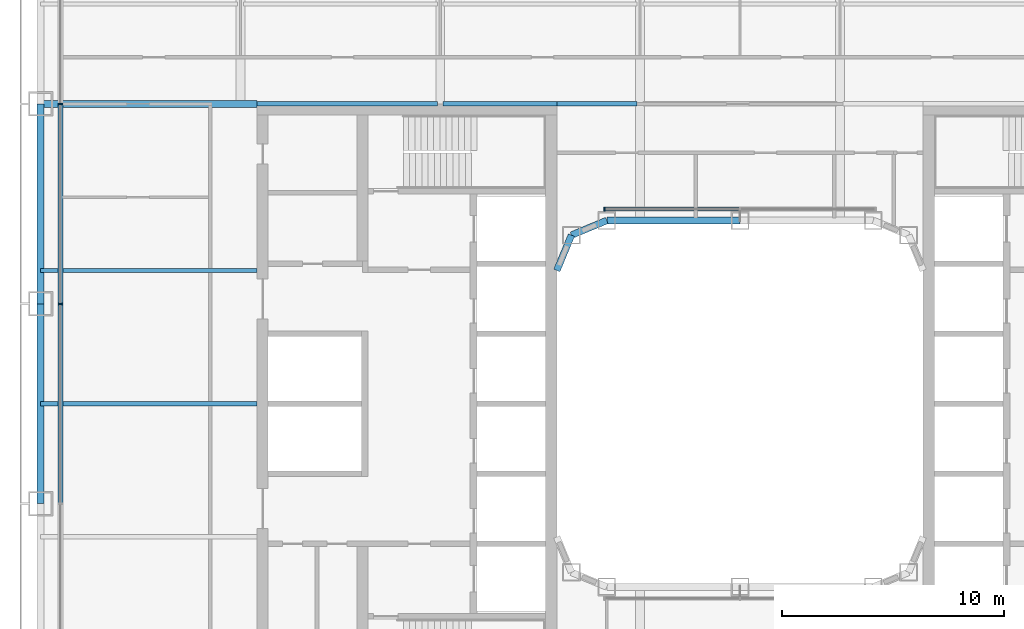
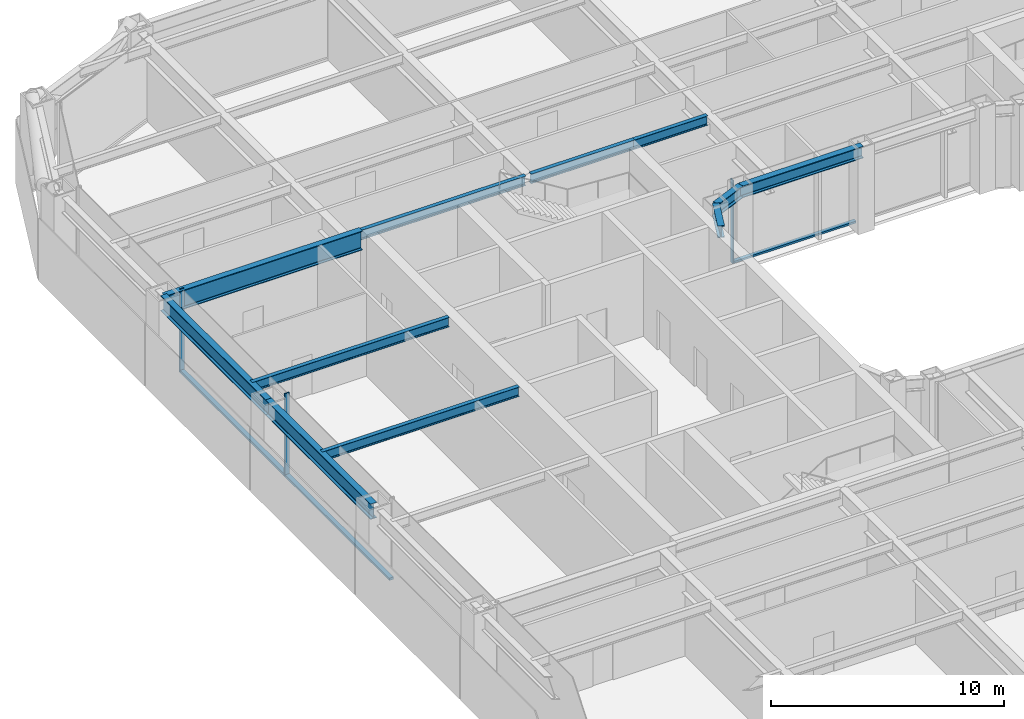
# One storey, part 6 of 24: 11 beams, 6 members, 2 elements without a shape of their own.
"""IFC4 building model written with IfcOpenShell, lengths in metres."""

from ifc_helpers import new_model, si_unit, direction, frame, origin, origin_2d, place, context, subcontext, project, spatial, rectangle, i_section, extrude, material, layer, layer_set, material_profile, profile_set, type_object, element, aggregate, save


model = new_model("IFC4")

# Units and contexts
model_context = context("Model", 3, precision=1e-05, world=origin(), true_north=direction((0.0, 1.0)))
body_context = subcontext(model_context, "Body", "Model", "MODEL_VIEW")
ifc_project = project(units=[si_unit("LENGTHUNIT", "METRE"), si_unit("AREAUNIT", "SQUARE_METRE"), si_unit("VOLUMEUNIT", "CUBIC_METRE"), si_unit("PLANEANGLEUNIT", "RADIAN"), si_unit("MASSUNIT", "GRAM", prefix="KILO")], contexts=[model_context])

# Site, building, storey
site_placement = place(None, origin())
site = spatial("IfcSite", under=ifc_project, at=site_placement, CompositionType="ELEMENT")
building_placement = place(site_placement, origin())
building = spatial("IfcBuilding", under=site, at=building_placement, Name="Siwar Civic Tower", CompositionType="ELEMENT")
storey_placement = place(building_placement, frame((0.0, 0.0, 22.199951171875)))
storey = spatial("IfcBuildingStorey", under=building, at=storey_placement, Name="L04", CompositionType="ELEMENT", Elevation=22.199951171875)

# Curtain wall, members
ifc_material_1 = material(Name="Aluminium and glass", Category="aluminium")
ifc_layer_1 = layer(ifc_material_1, 0.219970703125)
ifc_layer_set_1 = layer_set([ifc_layer_1], Name="Aluminium and glass")
curtain_wall_type_1 = type_object("IfcCurtainWallType", Name="ENV-CW-A", PredefinedType="NOTDEFINED", material=ifc_layer_set_1)
curtain_wall_1_placement = place(storey_placement, origin())
curtain_wall_1 = element("IfcCurtainWall", 1, at=curtain_wall_1_placement, inside=storey, type_object=curtain_wall_type_1, Name="Curtain wall A W", PredefinedType="NOTDEFINED")
ifc_material_2 = material(Name="Aluminium 6063-T6", Category="aluminium")
ifc_material_profile_1 = material_profile(ifc_material_2, rectangle(XDim=0.219970703125, YDim=0.070068359375, at=origin_2d()), Name="AL 220x70")
ifc_profile_set_1 = profile_set([ifc_material_profile_1], Name="Aluminium 6063-T6")
member_type_1 = type_object("IfcMemberType", Name="ENV-MULLION-A", PredefinedType="MULLION", material=ifc_profile_set_1)
member_1_placement = place(storey_placement, frame((-30.60009765625, 13.5, 0.0), z_axis=(0.0, 0.0, 1.0), x_axis=(1.0, 0.0, 0.0)))
member_1 = element("IfcMember", 2, at=member_1_placement, type_object=member_type_1, Name="Mullion A W 2", PredefinedType="MULLION", context=body_context, shape_type="SweptSolid", body=[
    extrude(rectangle(XDim=0.219970703125, YDim=0.070068359375, at=origin_2d()), origin(), (0.0, 0.0, 1.0), 4.35009765625),
])
member_2_placement = place(storey_placement, frame((-30.60009765625, 4.5, 0.0), z_axis=(0.0, 0.0, 1.0), x_axis=(1.0, 0.0, 0.0)))
member_2 = element("IfcMember", 3, at=member_2_placement, type_object=member_type_1, Name="Mullion A W 3", PredefinedType="MULLION", context=body_context, shape_type="SweptSolid", body=[
    extrude(rectangle(XDim=0.219970703125, YDim=0.070068359375, at=origin_2d()), origin(), (0.0, 0.0, 1.0), 4.35009765625),
])

# Curtain wall, member
ifc_material_3 = material(Name="Aluminium and glass", Category="aluminium")
ifc_layer_2 = layer(ifc_material_3, 0.179931640625)
ifc_layer_set_2 = layer_set([ifc_layer_2], Name="Aluminium and glass")
curtain_wall_type_2 = type_object("IfcCurtainWallType", Name="ENV-CW-W", PredefinedType="NOTDEFINED", material=ifc_layer_set_2)
curtain_wall_2_placement = place(storey_placement, origin())
curtain_wall_2 = element("IfcCurtainWall", 4, at=curtain_wall_2_placement, inside=storey, type_object=curtain_wall_type_2, Name="Curtain wall W WN", PredefinedType="NOTDEFINED")
ifc_material_4 = material(Name="Aluminium 6063-T6", Category="aluminium")
ifc_material_profile_2 = material_profile(ifc_material_4, rectangle(XDim=0.179931640625, YDim=0.06005859375, at=origin_2d()), Name="AL 180x60")
ifc_profile_set_2 = profile_set([ifc_material_profile_2], Name="Aluminium 6063-T6")
member_type_2 = type_object("IfcMemberType", Name="ENV-MULLION-W", PredefinedType="MULLION", material=ifc_profile_set_2)
member_3_placement = place(storey_placement, frame((-6.1015625, 8.760009765625, 0.0), z_axis=(0.0, 0.0, 1.0), x_axis=(0.0, -1.0, 0.0)))
member_3 = element("IfcMember", 5, at=member_3_placement, type_object=member_type_2, Name="Mullion W WN 3", PredefinedType="MULLION", context=body_context, shape_type="SweptSolid", body=[
    extrude(rectangle(XDim=0.179931640625, YDim=0.06005859375, at=origin_2d()), origin(), (0.0, 0.0, 1.0), 4.35009765625),
])

# Member
ifc_material_5 = material(Name="Aluminium 6063-T6", Category="aluminium")
ifc_material_profile_3 = material_profile(ifc_material_5, rectangle(XDim=0.219970703125, YDim=0.1201171875, at=origin_2d()), Name="AL 220x120")
ifc_profile_set_3 = profile_set([ifc_material_profile_3], Name="Aluminium 6063-T6")
member_type_3 = type_object("IfcMemberType", Name="ENV-TRANSOM-A", PredefinedType="USERDEFINED", material=ifc_profile_set_3)
member_4_placement = place(storey_placement, frame((-30.60009765625, 13.465087890625, 0.06005859375), z_axis=(0.0, -1.0, 0.0), x_axis=(1.0, 0.0, 0.0)))
member_4 = element("IfcMember", 6, at=member_4_placement, type_object=member_type_3, Name="Transom A W 2", ObjectType="TRANSOM", PredefinedType="USERDEFINED", context=body_context, shape_type="SweptSolid", body=[
    extrude(rectangle(XDim=0.219970703125, YDim=0.1201171875, at=origin_2d()), origin(), (0.0, 0.0, 1.0), 8.93017578125),
])

member_5_placement = place(storey_placement, frame((-30.60009765625, 4.465087890625, 0.06005859375), z_axis=(0.0, -1.0, 0.0), x_axis=(1.0, 0.0, 0.0)))
member_5 = element("IfcMember", 7, at=member_5_placement, type_object=member_type_3, Name="Transom A W 3", ObjectType="TRANSOM", PredefinedType="USERDEFINED", context=body_context, shape_type="SweptSolid", body=[
    extrude(rectangle(XDim=0.219970703125, YDim=0.1201171875, at=origin_2d()), origin(), (0.0, 0.0, 1.0), 8.93017578125),
])

aggregate(curtain_wall_1, [member_1, member_2, member_4, member_5])

ifc_material_6 = material(Name="Aluminium 6063-T6", Category="aluminium")
ifc_material_profile_4 = material_profile(ifc_material_6, rectangle(XDim=0.179931640625, YDim=0.10009765625, at=origin_2d()), Name="AL 180x100")
ifc_profile_set_4 = profile_set([ifc_material_profile_4], Name="Aluminium 6063-T6")
member_type_4 = type_object("IfcMemberType", Name="ENV-TRANSOM-W", PredefinedType="USERDEFINED", material=ifc_profile_set_4)
member_6_placement = place(storey_placement, frame((-0.030029296875, 8.760009765625, 0.050048828125), z_axis=(-1.0, 0.0, 0.0), x_axis=(0.0, -1.0, 0.0)))
member_6 = element("IfcMember", 8, at=member_6_placement, type_object=member_type_4, Name="Transom W WN 2", ObjectType="TRANSOM", PredefinedType="USERDEFINED", context=body_context, shape_type="SweptSolid", body=[
    extrude(rectangle(XDim=0.179931640625, YDim=0.10009765625, at=origin_2d()), origin(), (0.0, 0.0, 1.0), 6.04150390625),
])

aggregate(curtain_wall_2, [member_3, member_6])

# Beams
ifc_material_7 = material(Name="Steel S355", Category="steel")
ifc_material_profile_5 = material_profile(ifc_material_7, i_section(OverallWidth=0.199951171875, OverallDepth=0.5, WebThickness=0.01025390625, FlangeThickness=0.01611328125, FilletRadius=0.02099609375, at=origin_2d()), Name="IPE500")
ifc_profile_set_5 = profile_set([ifc_material_profile_5], Name="Steel S355")
beam_type_1 = type_object("IfcBeamType", Name="STR-FB-IPE500", PredefinedType="JOIST", material=ifc_profile_set_5)
for number, where, z_axis, x_axis, name in (
    (9, (-31.5, 0.0, 4.10009765625), (1.0, 0.0, 0.0), (0.0, 1.0, 0.0), "L04/bm/F033"),
    (10, (-31.5, 6.0, 4.10009765625), (1.0, 0.0, 0.0), (0.0, 1.0, 0.0), "L04/bm/F035"),
):
    element("IfcBeam", number, at=place(storey_placement, frame(where, z_axis=z_axis, x_axis=x_axis)), inside=storey, type_object=beam_type_1, Name=name, PredefinedType="JOIST", context=body_context, shape_type="SweptSolid", body=[
        extrude(i_section(OverallWidth=0.199951171875, OverallDepth=0.5, WebThickness=0.01025390625, FlangeThickness=0.01611328125, FilletRadius=0.02099609375, at=origin_2d()), origin(), (0.0, 0.0, 1.0), 9.75),
    ])
beam_1_placement = place(storey_placement, frame((-21.75, 13.5, 4.10009765625), z_axis=(1.0, 0.0, 0.0), x_axis=(0.0, 1.0, 0.0)))
element("IfcBeam", 11, at=beam_1_placement, inside=storey, type_object=beam_type_1, Name="L04/bm/F038", PredefinedType="JOIST", context=body_context, shape_type="SweptSolid", body=[
    extrude(i_section(OverallWidth=0.199951171875, OverallDepth=0.5, WebThickness=0.01025390625, FlangeThickness=0.01611328125, FilletRadius=0.02099609375, at=origin_2d()), origin(), (0.0, 0.0, 1.0), 8.1201171875),
])
beam_2_placement = place(storey_placement, frame((-13.3701171875, 13.5, 4.10009765625), z_axis=(1.0, 0.0, 0.0), x_axis=(0.0, 1.0, 0.0)))
element("IfcBeam", 12, at=beam_2_placement, inside=storey, type_object=beam_type_1, Name="L04/bm/F039", PredefinedType="JOIST", context=body_context, shape_type="SweptSolid", body=[
    extrude(i_section(OverallWidth=0.199951171875, OverallDepth=0.5, WebThickness=0.01025390625, FlangeThickness=0.01611328125, FilletRadius=0.02099609375, at=origin_2d()), origin(), (0.0, 0.0, 1.0), 5.1201171875),
])
beam_3_placement = place(storey_placement, frame((-8.25, 13.5, 4.10009765625), z_axis=(1.0, 0.0, 0.0), x_axis=(0.0, 1.0, 0.0)))
element("IfcBeam", 13, at=beam_3_placement, inside=storey, type_object=beam_type_1, Name="L04/bm/F040", PredefinedType="JOIST", context=body_context, shape_type="SweptSolid", body=[
    extrude(i_section(OverallWidth=0.199951171875, OverallDepth=0.5, WebThickness=0.01025390625, FlangeThickness=0.01611328125, FilletRadius=0.02099609375, at=origin_2d()), origin(), (0.0, 0.0, 1.0), 3.6201171875),
])
ifc_material_8 = material(Name="Steel S355", Category="steel")
ifc_material_profile_6 = material_profile(ifc_material_8, i_section(OverallWidth=0.300048828125, OverallDepth=1.0, WebThickness=0.01904296875, FlangeThickness=0.035888671875, FilletRadius=0.030029296875, at=origin_2d()), Name="HEB1000")
ifc_profile_set_6 = profile_set([ifc_material_profile_6], Name="Steel S355")
beam_type_2 = type_object("IfcBeamType", Name="STR-PG-HEB1000", PredefinedType="BEAM", material=ifc_profile_set_6)
beam_4_placement = place(storey_placement, frame((-31.5, 13.5, 3.85009765625), z_axis=(1.0, 0.0, 0.0), x_axis=(0.0, 1.0, 0.0)))
element("IfcBeam", 14, at=beam_4_placement, inside=storey, type_object=beam_type_2, Name="L04/bm/F037", PredefinedType="BEAM", context=body_context, shape_type="SweptSolid", body=[
    extrude(i_section(OverallWidth=0.300048828125, OverallDepth=1.0, WebThickness=0.01904296875, FlangeThickness=0.035888671875, FilletRadius=0.030029296875, at=origin_2d()), origin(), (0.0, 0.0, 1.0), 9.75),
])
ifc_material_9 = material(Name="Steel S355", Category="steel")
ifc_material_profile_7 = material_profile(ifc_material_9, i_section(OverallWidth=0.304931640625, OverallDepth=0.6201171875, WebThickness=0.02099609375, FlangeThickness=0.0400390625, FilletRadius=0.027099609375, at=origin_2d()), Name="HEM600")
ifc_profile_set_7 = profile_set([ifc_material_profile_7], Name="Steel S355")
beam_type_3 = type_object("IfcBeamType", Name="STR-RB-HEM600", PredefinedType="BEAM", material=ifc_profile_set_7)
beam_5_placement = place(storey_placement, frame((-7.591064453125, 7.591064453125, 4.0400390625), z_axis=(0.923901072997, 0.382631424892, 0.0), x_axis=(-0.382631424892, 0.923901072997, 0.0)))
element("IfcBeam", 15, at=beam_5_placement, inside=storey, type_object=beam_type_3, Name="L04/bm/RN0", PredefinedType="BEAM", context=body_context, shape_type="SweptSolid", body=[
    extrude(i_section(OverallWidth=0.304931640625, OverallDepth=0.6201171875, WebThickness=0.02099609375, FlangeThickness=0.0400390625, FilletRadius=0.027099609375, at=origin_2d()), origin(), (0.0, 0.0, 1.0), 1.72216796875),
])
beam_6_placement = place(storey_placement, frame((-6.0, 8.25, 4.0400390625), z_axis=(1.0, 0.0, 0.0), x_axis=(0.0, 1.0, 0.0)))
element("IfcBeam", 16, at=beam_6_placement, inside=storey, type_object=beam_type_3, Name="L04/bm/RN1", PredefinedType="BEAM", context=body_context, shape_type="SweptSolid", body=[
    extrude(i_section(OverallWidth=0.304931640625, OverallDepth=0.6201171875, WebThickness=0.02099609375, FlangeThickness=0.0400390625, FilletRadius=0.027099609375, at=origin_2d()), origin(), (0.0, 0.0, 1.0), 6.0),
])
beam_7_placement = place(storey_placement, frame((-7.591064453125, 7.591064453125, 4.0400390625), z_axis=(-0.382631424892, -0.923901072997, 0.0), x_axis=(0.923901072997, -0.382631424892, 0.0)))
element("IfcBeam", 17, at=beam_7_placement, inside=storey, type_object=beam_type_3, Name="L04/bm/RNEW", PredefinedType="BEAM", context=body_context, shape_type="SweptSolid", body=[
    extrude(i_section(OverallWidth=0.304931640625, OverallDepth=0.6201171875, WebThickness=0.02099609375, FlangeThickness=0.0400390625, FilletRadius=0.027099609375, at=origin_2d()), origin(), (0.0, 0.0, 1.0), 1.72216796875),
])
ifc_material_10 = material(Name="Steel S355", Category="steel")
ifc_material_profile_8 = material_profile(ifc_material_10, i_section(OverallWidth=0.302978515625, OverallDepth=0.81396484375, WebThickness=0.02099609375, FlangeThickness=0.0400390625, FilletRadius=0.030029296875, at=origin_2d()), Name="HEM800")
ifc_profile_set_8 = profile_set([ifc_material_profile_8], Name="Steel S355")
beam_type_4 = type_object("IfcBeamType", Name="STR-SB-HEM800", PredefinedType="BEAM", material=ifc_profile_set_8)
for number, where, z_axis, x_axis, name in (
    (18, (-31.5, 13.5, 3.943115234375), (0.0, -1.0, 0.0), (1.0, 0.0, 0.0), "L04/bm/SW-1"),
    (19, (-31.5, 4.5, 3.943115234375), (0.0, -1.0, 0.0), (1.0, 0.0, 0.0), "L04/bm/SW-2"),
):
    element("IfcBeam", number, at=place(storey_placement, frame(where, z_axis=z_axis, x_axis=x_axis)), inside=storey, type_object=beam_type_4, Name=name, PredefinedType="BEAM", context=body_context, shape_type="SweptSolid", body=[
        extrude(i_section(OverallWidth=0.302978515625, OverallDepth=0.81396484375, WebThickness=0.02099609375, FlangeThickness=0.0400390625, FilletRadius=0.030029296875, at=origin_2d()), origin(), (0.0, 0.0, 1.0), 9.0),
    ])

save(model, "model.ifc")
